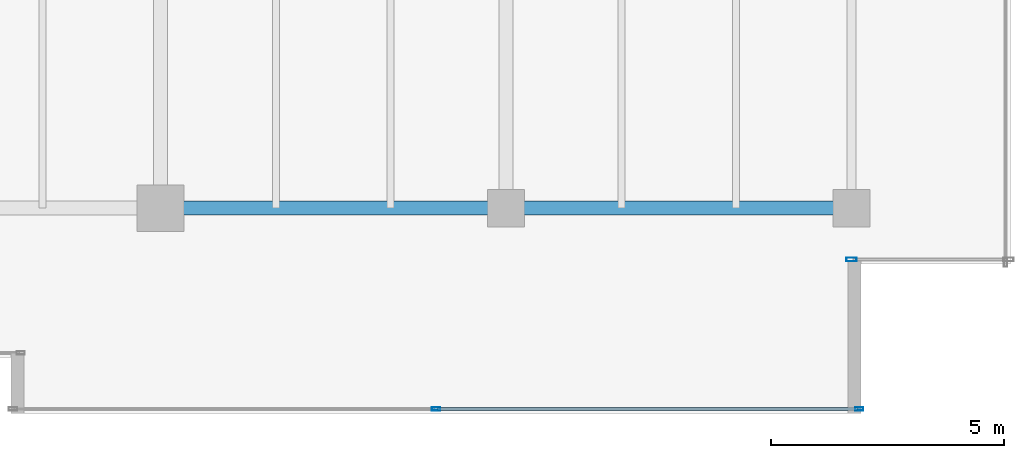
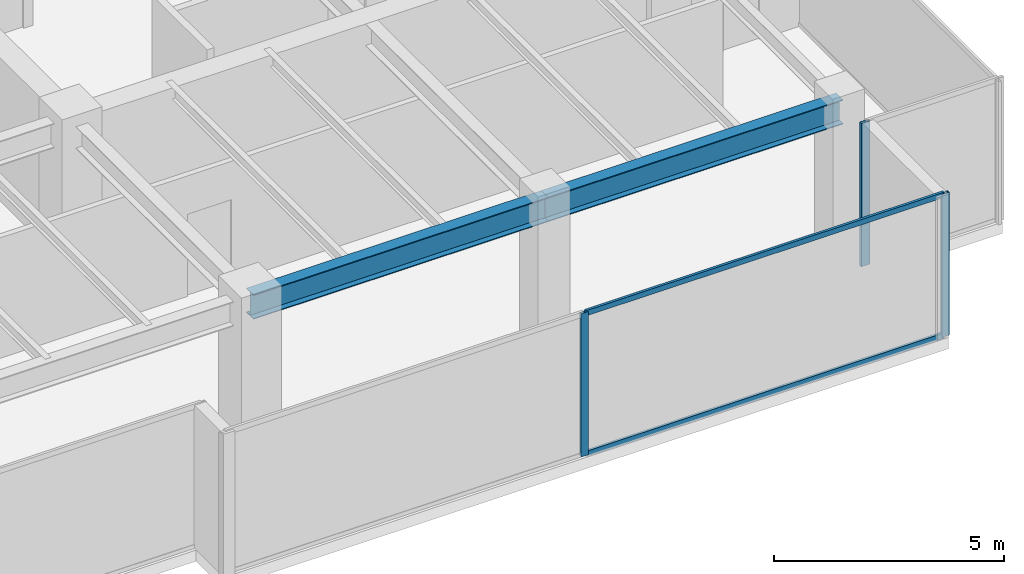
# One storey, part 13 of 33: 5 members, 2 beams, 2 elements without a shape of their own.
"""IFC4 building model written with IfcOpenShell, lengths in metres."""

from ifc_helpers import new_model, si_unit, direction, frame, origin, origin_2d, place, context, subcontext, project, spatial, hollow_rectangle, i_section, extrude, source, transform, mapped, material, layer, layer_set, material_profile, profile_set, type_object, type_shapes, element, aggregate, save


model = new_model("IFC4")

# Units and contexts
model_context = context("Model", 3, precision=1e-05, world=origin(), true_north=direction((0.0, 1.0)))
body_context = subcontext(model_context, "Body", "Model", "MODEL_VIEW")
ifc_project = project(units=[si_unit("LENGTHUNIT", "METRE"), si_unit("AREAUNIT", "SQUARE_METRE"), si_unit("VOLUMEUNIT", "CUBIC_METRE"), si_unit("PLANEANGLEUNIT", "RADIAN"), si_unit("MASSUNIT", "GRAM", prefix="KILO")], contexts=[model_context])

# Site, building, storey
site_placement = place(None, origin())
site = spatial("IfcSite", under=ifc_project, at=site_placement, CompositionType="ELEMENT")
building_placement = place(site_placement, origin())
building = spatial("IfcBuilding", under=site, at=building_placement, Name="Haelvirn Gate Laboratories", CompositionType="ELEMENT")
storey_placement = place(building_placement, frame((0.0, 0.0, 230.10009765625)))
storey = spatial("IfcBuildingStorey", under=building, at=storey_placement, Name="L55", CompositionType="ELEMENT", Elevation=230.10009765625)

# Beams
ifc_material_1 = material(Name="Steel SM355", Category="steel")
ifc_material_profile_1 = material_profile(ifc_material_1, i_section(OverallWidth=0.300048828125, OverallDepth=0.64990234375, WebThickness=0.012939453125, FlangeThickness=0.02197265625, at=origin_2d()), Name="H-650x300x13x22")
ifc_profile_set_1 = profile_set([ifc_material_profile_1], Name="Steel SM355")
beam_type = type_object("IfcBeamType", Name="BM-G-650", PredefinedType="BEAM", material=ifc_profile_set_1)
shared_shape_1 = source(origin(), body_context, "Body", "SweptSolid", [
    extrude(i_section(OverallWidth=0.300048828125, OverallDepth=0.64990234375, WebThickness=0.012939453125, FlangeThickness=0.02197265625, at=origin_2d()), origin(), (0.0, 0.0, 1.0), 7.39990234375),
])
type_shapes(beam_type, [shared_shape_1])
for number, where, z_axis, x_axis, name in (
    (1, (52.60009765625, 7.0, 3.474853515625), (1.0, 0.0, 0.0), (0.0, 1.0, 0.0), "L55 Primary Girder Y7.0 (52.6-60.0)"),
    (2, (60.0, 7.0, 3.474853515625), (1.0, 0.0, 0.0), (0.0, 1.0, 0.0), "L55 Primary Girder Y7.0 (60.0-67.4)"),
):
    element("IfcBeam", number, at=place(storey_placement, frame(where, z_axis=z_axis, x_axis=x_axis)), inside=storey, type_object=beam_type, Name=name, PredefinedType="BEAM", context=body_context, shape_type="MappedRepresentation", body=[
        mapped(shared_shape_1, transform((0.0, 0.0, 0.0), scale=1.0)),
    ])

# Curtain wall, members
ifc_material_2 = material(Name="Anodised bronze unitised aluminium & triple low-E glass", Category="aluminium")
ifc_layer_1 = layer(ifc_material_2, 0.176025390625, Name="CW-SYS-4")
ifc_layer_set_1 = layer_set([ifc_layer_1], Name="Anodised bronze unitised aluminium & triple low-E glass")
curtain_wall_type_1 = type_object("IfcCurtainWallType", Name="CW-SYS-4", PredefinedType="NOTDEFINED", material=ifc_layer_set_1)
curtain_wall_1_placement = place(storey_placement, origin())
curtain_wall_1 = element("IfcCurtainWall", 3, at=curtain_wall_1_placement, inside=storey, type_object=curtain_wall_type_1, Name="L55 Unitised Curtain Wall CW-L55-P0-E04-1", PredefinedType="NOTDEFINED")
ifc_material_3 = material(Name="Extruded aluminium 6063-T6 (anodised bronze)", Category="aluminium")
ifc_material_profile_2 = material_profile(ifc_material_3, hollow_rectangle(XDim=0.06494140625, YDim=0.139892578125, WallThickness=0.00390625, at=origin_2d()), Name="CWT-140x65x4")
ifc_profile_set_2 = profile_set([ifc_material_profile_2], Name="Extruded aluminium 6063-T6 (anodised bronze)")
member_type_1 = type_object("IfcMemberType", Name="CWT-T140", PredefinedType="USERDEFINED", material=ifc_profile_set_2)
shared_shape_2 = source(origin(), body_context, "Body", "SweptSolid", [
    extrude(hollow_rectangle(XDim=0.06494140625, YDim=0.139892578125, WallThickness=0.00390625, at=origin_2d()), origin(), (0.0, 0.0, 1.0), 8.9951171875),
])
type_shapes(member_type_1, [shared_shape_2])
member_1_placement = place(storey_placement, frame((58.534912109375, 2.699951171875, 0.032470703125), z_axis=(1.0, 0.0, 0.0), x_axis=(0.0, 1.0, 0.0)))
member_1 = element("IfcMember", 4, at=member_1_placement, type_object=member_type_1, Name="CW4 transom 2.1", ObjectType="TRANSOM", PredefinedType="USERDEFINED", context=body_context, shape_type="MappedRepresentation", body=[
    mapped(shared_shape_2, transform((0.0, 0.0, 0.0), scale=1.0)),
])
member_2_placement = place(storey_placement, frame((58.534912109375, 2.699951171875, 3.767333984375), z_axis=(1.0, 0.0, 0.0), x_axis=(0.0, 1.0, 0.0)))
member_2 = element("IfcMember", 5, at=member_2_placement, type_object=member_type_1, Name="CW4 transom 2.2", ObjectType="TRANSOM", PredefinedType="USERDEFINED", context=body_context, shape_type="MappedRepresentation", body=[
    mapped(shared_shape_2, transform((0.0, 0.0, 0.0), scale=1.0)),
])
ifc_material_profile_3 = material_profile(ifc_material_3, hollow_rectangle(XDim=0.070068359375, YDim=0.179931640625, WallThickness=0.0048828125, at=origin_2d()), Name="CWM-180x70x5")
ifc_profile_set_3 = profile_set([ifc_material_profile_3], Name="Extruded aluminium 6063-T6 (anodised bronze)")
member_type_2 = type_object("IfcMemberType", Name="CWM-T180", PredefinedType="MULLION", material=ifc_profile_set_3)
shared_shape_3 = source(origin(), body_context, "Body", "SweptSolid", [
    extrude(hollow_rectangle(XDim=0.070068359375, YDim=0.179931640625, WallThickness=0.0048828125, at=origin_2d()), origin(), (0.0, 0.0, 1.0), 3.7998046875),
])
type_shapes(member_type_2, [shared_shape_3])
member_3_placement = place(storey_placement, frame((58.5, 2.699951171875, 0.0), z_axis=(0.0, 0.0, 1.0), x_axis=(0.0, 1.0, 0.0)))
member_3 = element("IfcMember", 6, at=member_3_placement, type_object=member_type_2, Name="CW4 mullion 2", PredefinedType="MULLION", context=body_context, shape_type="MappedRepresentation", body=[
    mapped(shared_shape_3, transform((0.0, 0.0, 0.0), scale=1.0)),
])
member_4_placement = place(storey_placement, frame((67.56494140625, 2.699951171875, 0.0), z_axis=(0.0, 0.0, 1.0), x_axis=(0.0, 1.0, 0.0)))
member_4 = element("IfcMember", 7, at=member_4_placement, type_object=member_type_2, Name="CW4 mullion 3", PredefinedType="MULLION", context=body_context, shape_type="MappedRepresentation", body=[
    mapped(shared_shape_3, transform((0.0, 0.0, 0.0), scale=1.0)),
])
aggregate(curtain_wall_1, [member_3, member_4, member_1, member_2])

# Curtain wall, member
ifc_layer_2 = layer(ifc_material_2, 0.181884765625, Name="CW-SYS-5")
ifc_layer_set_2 = layer_set([ifc_layer_2], Name="Anodised bronze unitised aluminium & triple low-E glass")
curtain_wall_type_2 = type_object("IfcCurtainWallType", Name="CW-SYS-5", PredefinedType="NOTDEFINED", material=ifc_layer_set_2)
curtain_wall_2_placement = place(storey_placement, origin())
curtain_wall_2 = element("IfcCurtainWall", 8, at=curtain_wall_2_placement, inside=storey, type_object=curtain_wall_type_2, Name="L55 Unitised Curtain Wall CW-L55-P0-E06-1", PredefinedType="NOTDEFINED")
ifc_material_profile_4 = material_profile(ifc_material_3, hollow_rectangle(XDim=0.080078125, YDim=0.219970703125, WallThickness=0.006103515625, at=origin_2d()), Name="CWM-220x80x6")
ifc_profile_set_4 = profile_set([ifc_material_profile_4], Name="Extruded aluminium 6063-T6 (anodised bronze)")
member_type_3 = type_object("IfcMemberType", Name="CWM-T220", PredefinedType="MULLION", material=ifc_profile_set_4)
shared_shape_4 = source(origin(), body_context, "Body", "SweptSolid", [
    extrude(hollow_rectangle(XDim=0.080078125, YDim=0.219970703125, WallThickness=0.006103515625, at=origin_2d()), origin(), (0.0, 0.0, 1.0), 3.7998046875),
])
type_shapes(member_type_3, [shared_shape_4])
member_5_placement = place(storey_placement, frame((67.39990234375, 5.89990234375, 0.0), z_axis=(0.0, 0.0, 1.0), x_axis=(0.0, 1.0, 0.0)))
member_5 = element("IfcMember", 9, at=member_5_placement, type_object=member_type_3, Name="CW5 mullion 1", PredefinedType="MULLION", context=body_context, shape_type="MappedRepresentation", body=[
    mapped(shared_shape_4, transform((0.0, 0.0, 0.0), scale=1.0)),
])
aggregate(curtain_wall_2, [member_5])

save(model, "model.ifc")
